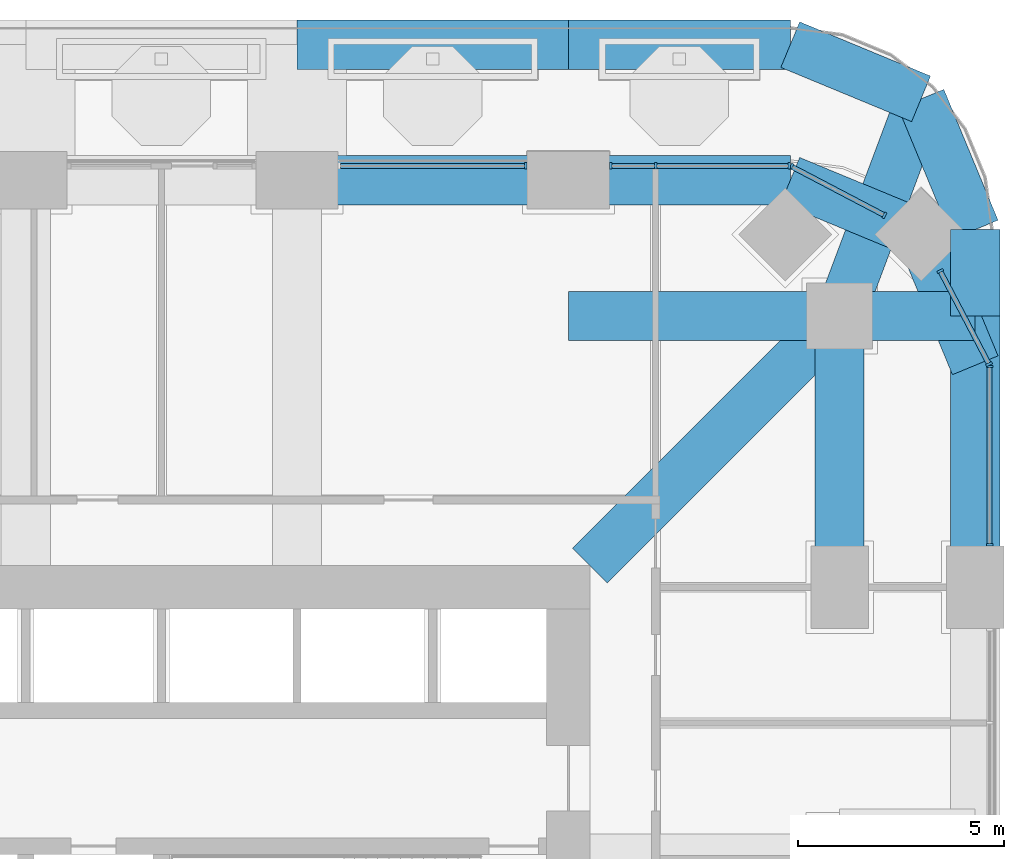
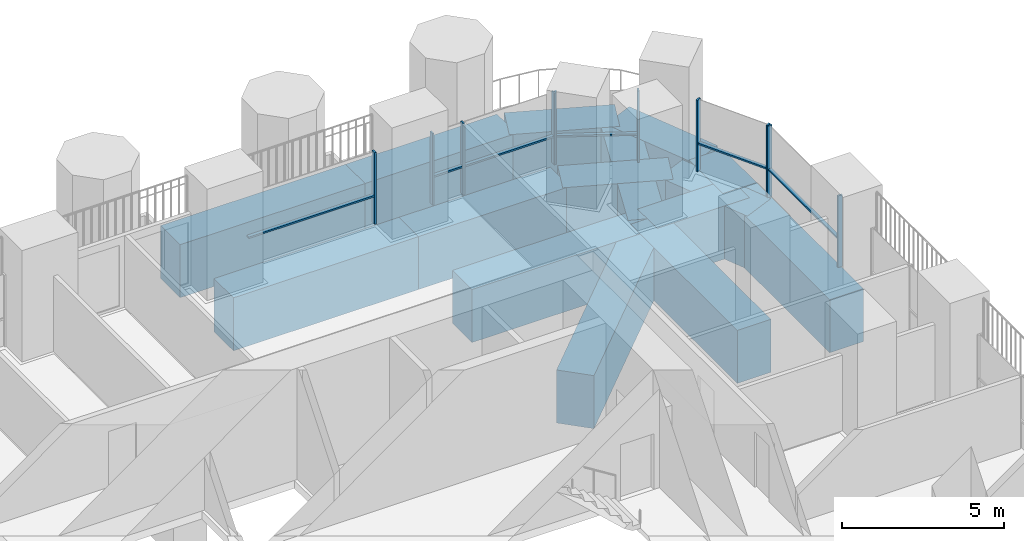
# One storey, part 7 of 22: 16 members, 15 beams, 5 elements without a shape of their own.
"""IFC4 building model written with IfcOpenShell, lengths in metres."""

from ifc_helpers import new_model, si_unit, direction, frame, origin, origin_2d, place, context, subcontext, project, spatial, rectangle, extrude, material, material_profile, profile_set, type_object, element, aggregate, save


model = new_model("IFC4")

# Units and contexts
model_context = context("Model", 3, precision=1e-05, world=origin(), true_north=direction((0.0, 1.0)))
body_context = subcontext(model_context, "Body", "Model", "MODEL_VIEW")
ifc_project = project(units=[si_unit("LENGTHUNIT", "METRE"), si_unit("AREAUNIT", "SQUARE_METRE"), si_unit("VOLUMEUNIT", "CUBIC_METRE"), si_unit("PLANEANGLEUNIT", "RADIAN"), si_unit("MASSUNIT", "GRAM", prefix="KILO")], contexts=[model_context])

# Site, building, storey
site_placement = place(None, origin())
site = spatial("IfcSite", under=ifc_project, at=site_placement, CompositionType="ELEMENT")
building_placement = place(site_placement, origin())
building = spatial("IfcBuilding", under=site, at=building_placement, Name="Cobogo Forest Laboratory Tower", CompositionType="ELEMENT")
storey_placement = place(building_placement, frame((0.0, 0.0, 155.699951171875)))
storey = spatial("IfcBuildingStorey", under=building, at=storey_placement, Name="L35", CompositionType="ELEMENT", Elevation=155.699951171875)

# Curtain wall, members
ifc_material_1 = material(Name="Aluminium curtain wall", Category="aluminium")
curtain_wall_type = type_object("IfcCurtainWallType", Name="CW-2 unitised curtain wall, solar control glazing, laboratory floors zones C and D", PredefinedType="USERDEFINED", material=ifc_material_1)
curtain_wall_1_placement = place(storey_placement, origin())
curtain_wall_1 = element("IfcCurtainWall", 1, at=curtain_wall_1_placement, inside=storey, type_object=curtain_wall_type, Name="Curtain wall 13 L35", ObjectType="UNITISED CURTAIN WALL", PredefinedType="USERDEFINED")
ifc_material_2 = material(Name="Aluminium mullion", Category="aluminium")
ifc_material_profile_1 = material_profile(ifc_material_2, rectangle(XDim=0.06005859375, YDim=0.159912109375, at=origin_2d()), Name="AL 60x160")
ifc_profile_set_1 = profile_set([ifc_material_profile_1], Name="Aluminium mullion")
member_type_1 = type_object("IfcMemberType", Name="MU-1 aluminium mullion 60x160", PredefinedType="MULLION", material=ifc_profile_set_1)
member_1_placement = place(storey_placement, frame((49.85009765625, 34.030029296875, 0.0), z_axis=(0.0, 0.0, 1.0), x_axis=(0.0, 1.0, 0.0)))
member_1 = element("IfcMember", 2, at=member_1_placement, type_object=member_type_1, Name="CW-2 mullion 1", PredefinedType="MULLION", context=body_context, shape_type="SweptSolid", body=[
    extrude(rectangle(XDim=0.06005859375, YDim=0.159912109375, at=origin_2d()), origin(), (0.0, 0.0, 1.0), 2.699951171875),
])
member_2_placement = place(storey_placement, frame((49.85009765625, 38.3701171875, 0.0), z_axis=(0.0, 0.0, 1.0), x_axis=(0.0, 1.0, 0.0)))
member_2 = element("IfcMember", 3, at=member_2_placement, type_object=member_type_1, Name="CW-2 mullion 2", PredefinedType="MULLION", context=body_context, shape_type="SweptSolid", body=[
    extrude(rectangle(XDim=0.06005859375, YDim=0.159912109375, at=origin_2d()), origin(), (0.0, 0.0, 1.0), 2.699951171875),
])

curtain_wall_2_placement = place(storey_placement, origin())
curtain_wall_2 = element("IfcCurtainWall", 4, at=curtain_wall_2_placement, inside=storey, type_object=curtain_wall_type, Name="Curtain wall 14 L35", ObjectType="UNITISED CURTAIN WALL", PredefinedType="USERDEFINED")
member_3_placement = place(storey_placement, frame((49.836181640625, 38.426513671875, 0.0), z_axis=(0.0, 0.0, 1.0), x_axis=(-0.464283723321, 0.885686527085, 0.0)))
member_3 = element("IfcMember", 5, at=member_3_placement, type_object=member_type_1, Name="CW-2 mullion 1", PredefinedType="MULLION", context=body_context, shape_type="SweptSolid", body=[
    extrude(rectangle(XDim=0.06005859375, YDim=0.159912109375, at=origin_2d()), origin(), (0.0, 0.0, 1.0), 2.699951171875),
])
member_4_placement = place(storey_placement, frame((48.648193359375, 40.692626953125, 0.0), z_axis=(0.0, 0.0, 1.0), x_axis=(-0.464283723321, 0.885686527085, 0.0)))
member_4 = element("IfcMember", 6, at=member_4_placement, type_object=member_type_1, Name="CW-2 mullion 2", PredefinedType="MULLION", context=body_context, shape_type="SweptSolid", body=[
    extrude(rectangle(XDim=0.06005859375, YDim=0.159912109375, at=origin_2d()), origin(), (0.0, 0.0, 1.0), 2.699951171875),
])

curtain_wall_3_placement = place(storey_placement, origin())
curtain_wall_3 = element("IfcCurtainWall", 7, at=curtain_wall_3_placement, inside=storey, type_object=curtain_wall_type, Name="Curtain wall 15 L35", ObjectType="UNITISED CURTAIN WALL", PredefinedType="USERDEFINED")
member_5_placement = place(storey_placement, frame((47.29248046875, 42.04833984375, 0.0), z_axis=(0.0, 0.0, 1.0), x_axis=(-0.885686527085, 0.464283723321, 0.0)))
member_5 = element("IfcMember", 8, at=member_5_placement, type_object=member_type_1, Name="CW-2 mullion 1", PredefinedType="MULLION", context=body_context, shape_type="SweptSolid", body=[
    extrude(rectangle(XDim=0.06005859375, YDim=0.159912109375, at=origin_2d()), origin(), (0.0, 0.0, 1.0), 2.699951171875),
])
member_6_placement = place(storey_placement, frame((45.026611328125, 43.236083984375, 0.0), z_axis=(0.0, 0.0, 1.0), x_axis=(-0.885686527085, 0.464283723321, 0.0)))
member_6 = element("IfcMember", 9, at=member_6_placement, type_object=member_type_1, Name="CW-2 mullion 2", PredefinedType="MULLION", context=body_context, shape_type="SweptSolid", body=[
    extrude(rectangle(XDim=0.06005859375, YDim=0.159912109375, at=origin_2d()), origin(), (0.0, 0.0, 1.0), 2.699951171875),
])

curtain_wall_4_placement = place(storey_placement, origin())
curtain_wall_4 = element("IfcCurtainWall", 10, at=curtain_wall_4_placement, inside=storey, type_object=curtain_wall_type, Name="Curtain wall 16 L35", ObjectType="UNITISED CURTAIN WALL", PredefinedType="USERDEFINED")
member_7_placement = place(storey_placement, frame((44.969970703125, 43.25, 0.0), z_axis=(0.0, 0.0, 1.0), x_axis=(-1.0, 0.0, 0.0)))
member_7 = element("IfcMember", 11, at=member_7_placement, type_object=member_type_1, Name="CW-2 mullion 1", PredefinedType="MULLION", context=body_context, shape_type="SweptSolid", body=[
    extrude(rectangle(XDim=0.06005859375, YDim=0.159912109375, at=origin_2d()), origin(), (0.0, 0.0, 1.0), 2.699951171875),
])
member_8_placement = place(storey_placement, frame((41.72509765625, 43.25, 0.0), z_axis=(0.0, 0.0, 1.0), x_axis=(-1.0, 0.0, 0.0)))
member_8 = element("IfcMember", 12, at=member_8_placement, type_object=member_type_1, Name="CW-2 mullion 2", PredefinedType="MULLION", context=body_context, shape_type="SweptSolid", body=[
    extrude(rectangle(XDim=0.06005859375, YDim=0.159912109375, at=origin_2d()), origin(), (0.0, 0.0, 1.0), 2.699951171875),
])
member_9_placement = place(storey_placement, frame((40.6298828125, 43.25, 0.0), z_axis=(0.0, 0.0, 1.0), x_axis=(-1.0, 0.0, 0.0)))
member_9 = element("IfcMember", 13, at=member_9_placement, type_object=member_type_1, Name="CW-2 mullion 3", PredefinedType="MULLION", context=body_context, shape_type="SweptSolid", body=[
    extrude(rectangle(XDim=0.06005859375, YDim=0.159912109375, at=origin_2d()), origin(), (0.0, 0.0, 1.0), 2.699951171875),
])

# Curtain wall, member
curtain_wall_5_placement = place(storey_placement, origin())
curtain_wall_5 = element("IfcCurtainWall", 14, at=curtain_wall_5_placement, inside=storey, type_object=curtain_wall_type, Name="Curtain wall 17 L35", ObjectType="UNITISED CURTAIN WALL", PredefinedType="USERDEFINED")
member_10_placement = place(storey_placement, frame((38.570068359375, 43.25, 0.0), z_axis=(0.0, 0.0, 1.0), x_axis=(-1.0, 0.0, 0.0)))
member_10 = element("IfcMember", 15, at=member_10_placement, type_object=member_type_1, Name="CW-2 mullion 1", PredefinedType="MULLION", context=body_context, shape_type="SweptSolid", body=[
    extrude(rectangle(XDim=0.06005859375, YDim=0.159912109375, at=origin_2d()), origin(), (0.0, 0.0, 1.0), 2.699951171875),
])

# Beams
ifc_material_3 = material(Name="Concrete HA-40 (C40/50)", Category="concrete")
ifc_material_profile_2 = material_profile(ifc_material_3, rectangle(XDim=1.199951171875, YDim=2.0, at=origin_2d()), Name="RC 1200x2000")
ifc_profile_set_2 = profile_set([ifc_material_profile_2], Name="Concrete HA-40 (C40/50)")
beam_type = type_object("IfcBeamType", Name="Setback floor girder 1200x2000", PredefinedType="BEAM", material=ifc_profile_set_2)
beam_1_placement = place(storey_placement, frame((46.199951171875, 39.60009765625, -1.300048828125), z_axis=(0.0, -1.0, 0.0), x_axis=(1.0, 0.0, 0.0)))
element("IfcBeam", 16, at=beam_1_placement, inside=storey, type_object=beam_type, Name="TG2 G-NE-XC L35", PredefinedType="BEAM", context=body_context, shape_type="SweptSolid", body=[
    extrude(rectangle(XDim=1.199951171875, YDim=2.0, at=origin_2d()), origin(), (0.0, 0.0, 1.0), 6.60009765625),
])
beam_2_placement = place(storey_placement, frame((49.5, 39.60009765625, -1.300048828125), z_axis=(-1.0, 0.0, 0.0), x_axis=(0.0, -1.0, 0.0)))
element("IfcBeam", 17, at=beam_2_placement, inside=storey, type_object=beam_type, Name="TG2 G-NE-YF L35", PredefinedType="BEAM", context=body_context, shape_type="SweptSolid", body=[
    extrude(rectangle(XDim=1.199951171875, YDim=2.0, at=origin_2d()), origin(), (0.0, 0.0, 1.0), 3.300048828125),
])
beam_3_placement = place(storey_placement, frame((46.199951171875, 39.60009765625, -1.300048828125), z_axis=(-1.0, 0.0, 0.0), x_axis=(0.0, -1.0, 0.0)))
element("IfcBeam", 18, at=beam_3_placement, inside=storey, type_object=beam_type, Name="TG2 G-NE-YC L35", PredefinedType="BEAM", context=body_context, shape_type="SweptSolid", body=[
    extrude(rectangle(XDim=1.199951171875, YDim=2.0, at=origin_2d()), origin(), (0.0, 0.0, 1.0), 6.599853515625),
])
beam_4_placement = place(storey_placement, frame((48.181884765625, 44.882080078125, -1.300048828125), z_axis=(-0.351308391925, -0.936259800356, 0.0), x_axis=(0.936259800356, -0.351308391925, 0.0)))
element("IfcBeam", 19, at=beam_4_placement, inside=storey, type_object=beam_type, Name="TG2 G-NE-D1 L35", PredefinedType="BEAM", context=body_context, shape_type="SweptSolid", body=[
    extrude(rectangle(XDim=1.199951171875, YDim=2.0, at=origin_2d()), origin(), (0.0, 0.0, 1.0), 5.6416015625),
])
beam_5_placement = place(storey_placement, frame((46.199951171875, 39.60009765625, -1.300048828125), z_axis=(-0.707092572697, -0.70712098939, 0.0), x_axis=(0.70712098939, -0.707092572697, 0.0)))
element("IfcBeam", 20, at=beam_5_placement, inside=storey, type_object=beam_type, Name="TG2 G-NE-D2 L35", PredefinedType="BEAM", context=body_context, shape_type="SweptSolid", body=[
    extrude(rectangle(XDim=1.199951171875, YDim=2.0, at=origin_2d()), origin(), (0.0, 0.0, 1.0), 8.591552734375),
])
for number, where, z_axis, x_axis, name in (
    (21, (49.5, 33.0, -1.300048828125), (0.0, 1.0, 0.0), (-1.0, 0.0, 0.0), "TG2 E-E5 L35"),
    (22, (33.0, 46.199951171875, -1.300048828125), (1.0, 0.0, 0.0), (0.0, 1.0, 0.0), "TG2 E-N4 L35"),
):
    element("IfcBeam", number, at=place(storey_placement, frame(where, z_axis=z_axis, x_axis=x_axis)), inside=storey, type_object=beam_type, Name=name, PredefinedType="BEAM", context=body_context, shape_type="SweptSolid", body=[
        extrude(rectangle(XDim=1.199951171875, YDim=2.0, at=origin_2d()), origin(), (0.0, 0.0, 1.0), 6.60009765625),
    ])
beam_6_placement = place(storey_placement, frame((49.5, 39.60009765625, -1.300048828125), z_axis=(0.0, 1.0, 0.0), x_axis=(-1.0, 0.0, 0.0)))
element("IfcBeam", 23, at=beam_6_placement, inside=storey, type_object=beam_type, Name="TG2 E-NEE1 L35", PredefinedType="BEAM", context=body_context, shape_type="SweptSolid", body=[
    extrude(rectangle(XDim=1.199951171875, YDim=2.0, at=origin_2d()), origin(), (0.0, 0.0, 1.0), 2.099853515625),
])
beam_7_placement = place(storey_placement, frame((49.5, 41.699951171875, -1.300048828125), z_axis=(-0.382691928466, 0.923876013265, 0.0), x_axis=(-0.923876013265, -0.382691928466, 0.0)))
element("IfcBeam", 24, at=beam_7_placement, inside=storey, type_object=beam_type, Name="TG2 E-NEE2 L35", PredefinedType="BEAM", context=body_context, shape_type="SweptSolid", body=[
    extrude(rectangle(XDim=1.199951171875, YDim=2.0, at=origin_2d()), origin(), (0.0, 0.0, 1.0), 3.4443359375),
])
beam_8_placement = place(storey_placement, frame((39.60009765625, 46.199951171875, -1.300048828125), z_axis=(1.0, 0.0, 0.0), x_axis=(0.0, 1.0, 0.0)))
element("IfcBeam", 25, at=beam_8_placement, inside=storey, type_object=beam_type, Name="TG2 E-NEN1 L35", PredefinedType="BEAM", context=body_context, shape_type="SweptSolid", body=[
    extrude(rectangle(XDim=1.199951171875, YDim=2.0, at=origin_2d()), origin(), (0.0, 0.0, 1.0), 5.39990234375),
])
beam_9_placement = place(storey_placement, frame((45.0, 46.199951171875, -1.300048828125), z_axis=(0.923890694089, -0.382656484822, 0.0), x_axis=(0.382656484822, 0.923890694089, 0.0)))
element("IfcBeam", 26, at=beam_9_placement, inside=storey, type_object=beam_type, Name="TG2 E-NEN2 L35", PredefinedType="BEAM", context=body_context, shape_type="SweptSolid", body=[
    extrude(rectangle(XDim=1.199951171875, YDim=2.0, at=origin_2d()), origin(), (0.0, 0.0, 1.0), 3.444091796875),
])
beam_10_placement = place(storey_placement, frame((33.0, 42.89990234375, -1.300048828125), z_axis=(1.0, 0.0, 0.0), x_axis=(0.0, 1.0, 0.0)))
element("IfcBeam", 27, at=beam_10_placement, inside=storey, type_object=beam_type, Name="TG2 UE-N4 L35", PredefinedType="BEAM", context=body_context, shape_type="SweptSolid", body=[
    extrude(rectangle(XDim=1.199951171875, YDim=2.0, at=origin_2d()), origin(), (0.0, 0.0, 1.0), 6.60009765625),
])
beam_11_placement = place(storey_placement, frame((49.5, 38.39990234375, -1.300048828125), z_axis=(-0.382691928466, 0.923876013265, 0.0), x_axis=(-0.923876013265, -0.382691928466, 0.0)))
element("IfcBeam", 28, at=beam_11_placement, inside=storey, type_object=beam_type, Name="TG2 UE-NEE2 L35", PredefinedType="BEAM", context=body_context, shape_type="SweptSolid", body=[
    extrude(rectangle(XDim=1.199951171875, YDim=2.0, at=origin_2d()), origin(), (0.0, 0.0, 1.0), 3.4443359375),
])
beam_12_placement = place(storey_placement, frame((39.60009765625, 42.89990234375, -1.300048828125), z_axis=(1.0, 0.0, 0.0), x_axis=(0.0, 1.0, 0.0)))
element("IfcBeam", 29, at=beam_12_placement, inside=storey, type_object=beam_type, Name="TG2 UE-NEN1 L35", PredefinedType="BEAM", context=body_context, shape_type="SweptSolid", body=[
    extrude(rectangle(XDim=1.199951171875, YDim=2.0, at=origin_2d()), origin(), (0.0, 0.0, 1.0), 5.39990234375),
])
beam_13_placement = place(storey_placement, frame((45.0, 42.89990234375, -1.300048828125), z_axis=(0.923890694089, -0.382656484822, 0.0), x_axis=(0.382656484822, 0.923890694089, 0.0)))
element("IfcBeam", 30, at=beam_13_placement, inside=storey, type_object=beam_type, Name="TG2 UE-NEN2 L35", PredefinedType="BEAM", context=body_context, shape_type="SweptSolid", body=[
    extrude(rectangle(XDim=1.199951171875, YDim=2.0, at=origin_2d()), origin(), (0.0, 0.0, 1.0), 3.444091796875),
])

# Member
ifc_material_4 = material(Name="Aluminium transom", Category="aluminium")
ifc_material_profile_3 = material_profile(ifc_material_4, rectangle(XDim=0.1201171875, YDim=0.06005859375, at=origin_2d()), Name="AL 60x120")
ifc_profile_set_3 = profile_set([ifc_material_profile_3], Name="Aluminium transom")
member_type_2 = type_object("IfcMemberType", Name="TR-1 aluminium transom 60x120", PredefinedType="USERDEFINED", material=ifc_profile_set_3)
member_11_placement = place(storey_placement, frame((49.85009765625, 34.06005859375, 1.050048828125), z_axis=(0.0, 1.0, 0.0), x_axis=(-1.0, 0.0, 0.0)))
member_11 = element("IfcMember", 31, at=member_11_placement, type_object=member_type_2, Name="CW-2 transom 1.1", ObjectType="TRANSOM", PredefinedType="USERDEFINED", context=body_context, shape_type="SweptSolid", body=[
    extrude(rectangle(XDim=0.1201171875, YDim=0.06005859375, at=origin_2d()), origin(), (0.0, 0.0, 1.0), 4.280029296875),
])

aggregate(curtain_wall_1, [member_1, member_2, member_11])

member_12_placement = place(storey_placement, frame((49.822021484375, 38.453125, 1.050048828125), z_axis=(-0.464251616248, 0.885703357119, 0.0), x_axis=(-0.885703357119, -0.464251616248, 0.0)))
member_12 = element("IfcMember", 32, at=member_12_placement, type_object=member_type_2, Name="CW-2 transom 1.1", ObjectType="TRANSOM", PredefinedType="USERDEFINED", context=body_context, shape_type="SweptSolid", body=[
    extrude(rectangle(XDim=0.1201171875, YDim=0.06005859375, at=origin_2d()), origin(), (0.0, 0.0, 1.0), 2.49853515625),
])

aggregate(curtain_wall_2, [member_3, member_4, member_12])

member_13_placement = place(storey_placement, frame((47.265869140625, 42.062255859375, 1.050048828125), z_axis=(-0.885682293566, 0.464291799264, 0.0), x_axis=(-0.464291799264, -0.885682293566, 0.0)))
member_13 = element("IfcMember", 33, at=member_13_placement, type_object=member_type_2, Name="CW-2 transom 1.1", ObjectType="TRANSOM", PredefinedType="USERDEFINED", context=body_context, shape_type="SweptSolid", body=[
    extrude(rectangle(XDim=0.1201171875, YDim=0.06005859375, at=origin_2d()), origin(), (0.0, 0.0, 1.0), 2.498291015625),
])

aggregate(curtain_wall_3, [member_5, member_6, member_13])

member_14_placement = place(storey_placement, frame((44.93994140625, 43.25, 1.050048828125), z_axis=(-1.0, 0.0, 0.0), x_axis=(0.0, -1.0, 0.0)))
member_14 = element("IfcMember", 34, at=member_14_placement, type_object=member_type_2, Name="CW-2 transom 1.1", ObjectType="TRANSOM", PredefinedType="USERDEFINED", context=body_context, shape_type="SweptSolid", body=[
    extrude(rectangle(XDim=0.1201171875, YDim=0.06005859375, at=origin_2d()), origin(), (0.0, 0.0, 1.0), 3.18505859375),
])

member_15_placement = place(storey_placement, frame((41.695068359375, 43.25, 1.050048828125), z_axis=(-1.0, 0.0, 0.0), x_axis=(0.0, -1.0, 0.0)))
member_15 = element("IfcMember", 35, at=member_15_placement, type_object=member_type_2, Name="CW-2 transom 2.1", ObjectType="TRANSOM", PredefinedType="USERDEFINED", context=body_context, shape_type="SweptSolid", body=[
    extrude(rectangle(XDim=0.1201171875, YDim=0.06005859375, at=origin_2d()), origin(), (0.0, 0.0, 1.0), 1.03515625),
])

aggregate(curtain_wall_4, [member_7, member_8, member_9, member_14, member_15])

member_16_placement = place(storey_placement, frame((38.5400390625, 43.25, 1.050048828125), z_axis=(-1.0, 0.0, 0.0), x_axis=(0.0, -1.0, 0.0)))
member_16 = element("IfcMember", 36, at=member_16_placement, type_object=member_type_2, Name="CW-2 transom 1.1", ObjectType="TRANSOM", PredefinedType="USERDEFINED", context=body_context, shape_type="SweptSolid", body=[
    extrude(rectangle(XDim=0.1201171875, YDim=0.06005859375, at=origin_2d()), origin(), (0.0, 0.0, 1.0), 4.47998046875),
])

aggregate(curtain_wall_5, [member_10, member_16])

save(model, "model.ifc")
